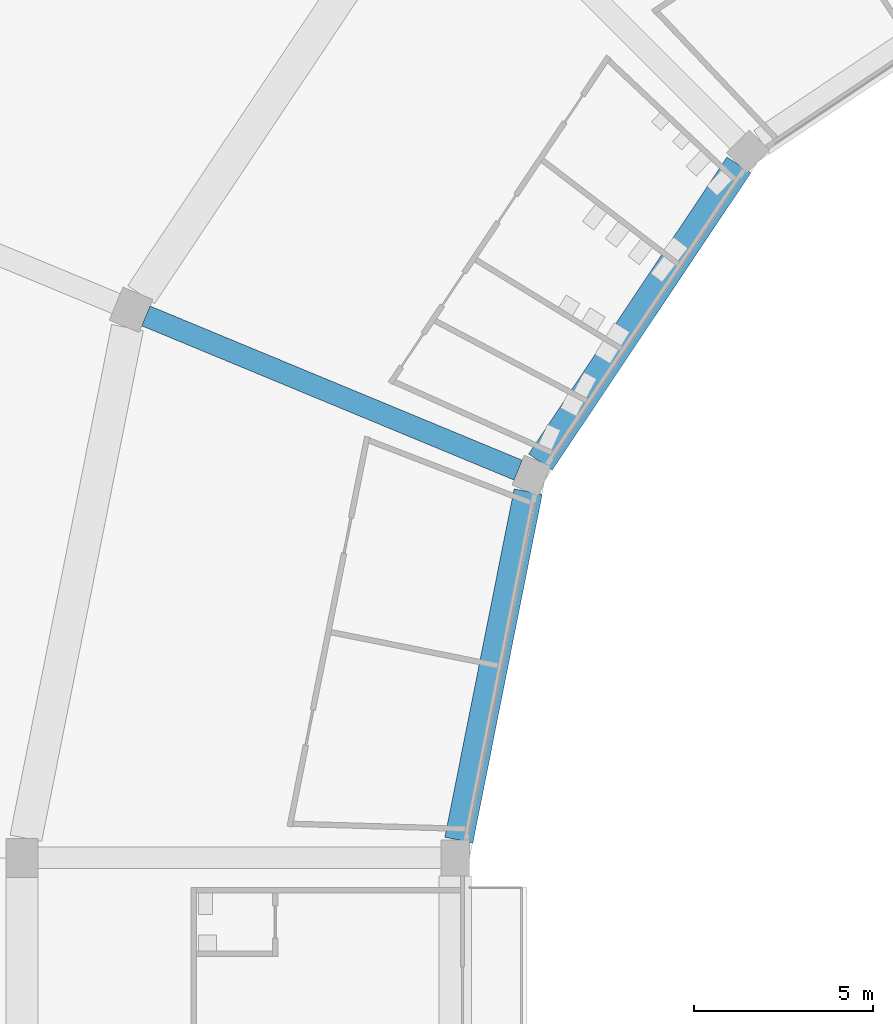
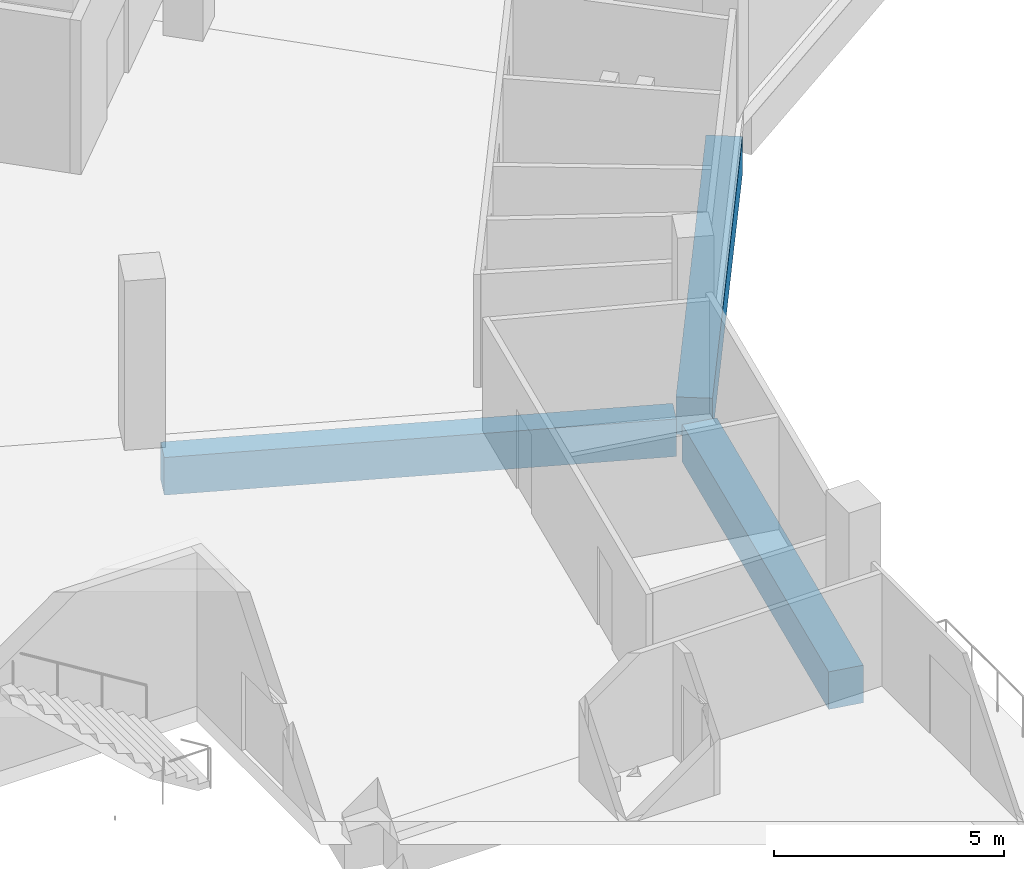
# One storey, part 37 of 199: 3 beams.
"""IFC4 building model written with IfcOpenShell, lengths in metres."""

from ifc_helpers import new_model, si_unit, direction, frame, origin, origin_2d, place, context, subcontext, project, spatial, rectangle, extrude, material, material_profile, profile_set, type_object, element, save


model = new_model("IFC4")

# Units and contexts
model_context = context("Model", 3, precision=1e-05, world=origin(), true_north=direction((0.0, 1.0)))
body_context = subcontext(model_context, "Body", "Model", "MODEL_VIEW")
ifc_project = project(units=[si_unit("LENGTHUNIT", "METRE"), si_unit("AREAUNIT", "SQUARE_METRE"), si_unit("VOLUMEUNIT", "CUBIC_METRE"), si_unit("PLANEANGLEUNIT", "RADIAN"), si_unit("MASSUNIT", "GRAM", prefix="KILO")], contexts=[model_context])

# Site, building, storey
site_placement = place(None, origin())
site = spatial("IfcSite", under=ifc_project, at=site_placement, CompositionType="ELEMENT")
building_placement = place(site_placement, origin())
building = spatial("IfcBuilding", under=site, at=building_placement, Name="Ogive Plaza Stadium", CompositionType="ELEMENT")
storey_placement = place(building_placement, frame((0.0, 0.0, 9.0)))
storey = spatial("IfcBuildingStorey", under=building, at=storey_placement, Name="L02", CompositionType="ELEMENT", Elevation=9.0)

# Beams
ifc_material_1 = material(Name="Concrete C40/50", Category="concrete")
ifc_material_profile_1 = material_profile(ifc_material_1, rectangle(XDim=0.60009765625, YDim=1.0, at=origin_2d()), Name="RC 600x1000")
ifc_profile_set_1 = profile_set([ifc_material_profile_1], Name="Concrete C40/50")
beam_type_1 = type_object("IfcBeamType", Name="RC radial beam 600x1000", PredefinedType="BEAM", material=ifc_profile_set_1)
beam_1_placement = place(storey_placement, frame((-60.145751953125, 63.329833984375, -0.909912109375), z_axis=(-0.92388194159, 0.382677616283, 0.0), x_axis=(-0.382677616283, -0.92388194159, 0.0)))
element("IfcBeam", 1, at=beam_1_placement, inside=storey, type_object=beam_type_1, Name="Radial beam L02 R29 F3F4", PredefinedType="BEAM", context=body_context, shape_type="SweptSolid", body=[
    extrude(rectangle(XDim=0.60009765625, YDim=1.0, at=origin_2d()), origin(), (0.0, 0.0, 1.0), 11.250244140625),
])
ifc_material_2 = material(Name="Concrete C40/50", Category="concrete")
ifc_material_profile_2 = material_profile(ifc_material_2, rectangle(XDim=0.800048828125, YDim=1.0, at=origin_2d()), Name="RC 800x1000")
ifc_profile_set_2 = profile_set([ifc_material_profile_2], Name="Concrete C40/50")
beam_type_2 = type_object("IfcBeamType", Name="RC ring beam 800x1000", PredefinedType="BEAM", material=ifc_profile_set_2)
beam_2_placement = place(storey_placement, frame((-61.800537109375, 53.0, -0.909912109375), z_axis=(0.195093456635, 0.980784656884, 0.0), x_axis=(-0.980784656884, 0.195093456635, 0.0)))
element("IfcBeam", 2, at=beam_2_placement, inside=storey, type_object=beam_type_2, Name="Ring beam F3 L02 B28", PredefinedType="BEAM", context=body_context, shape_type="SweptSolid", body=[
    extrude(rectangle(XDim=0.800048828125, YDim=1.0, at=origin_2d()), origin(), (0.0, 0.0, 1.0), 9.91748046875),
])
beam_3_placement = place(storey_placement, frame((-59.521240234375, 63.558349609375, -0.909912109375), z_axis=(0.555570290949, 0.831469573595, 0.0), x_axis=(-0.831469573595, 0.555570290949, 0.0)))
element("IfcBeam", 3, at=beam_3_placement, inside=storey, type_object=beam_type_2, Name="Ring beam F3 L02 B29", PredefinedType="BEAM", context=body_context, shape_type="SweptSolid", body=[
    extrude(rectangle(XDim=0.800048828125, YDim=1.0, at=origin_2d()), origin(), (0.0, 0.0, 1.0), 9.96826171875),
])

save(model, "model.ifc")
